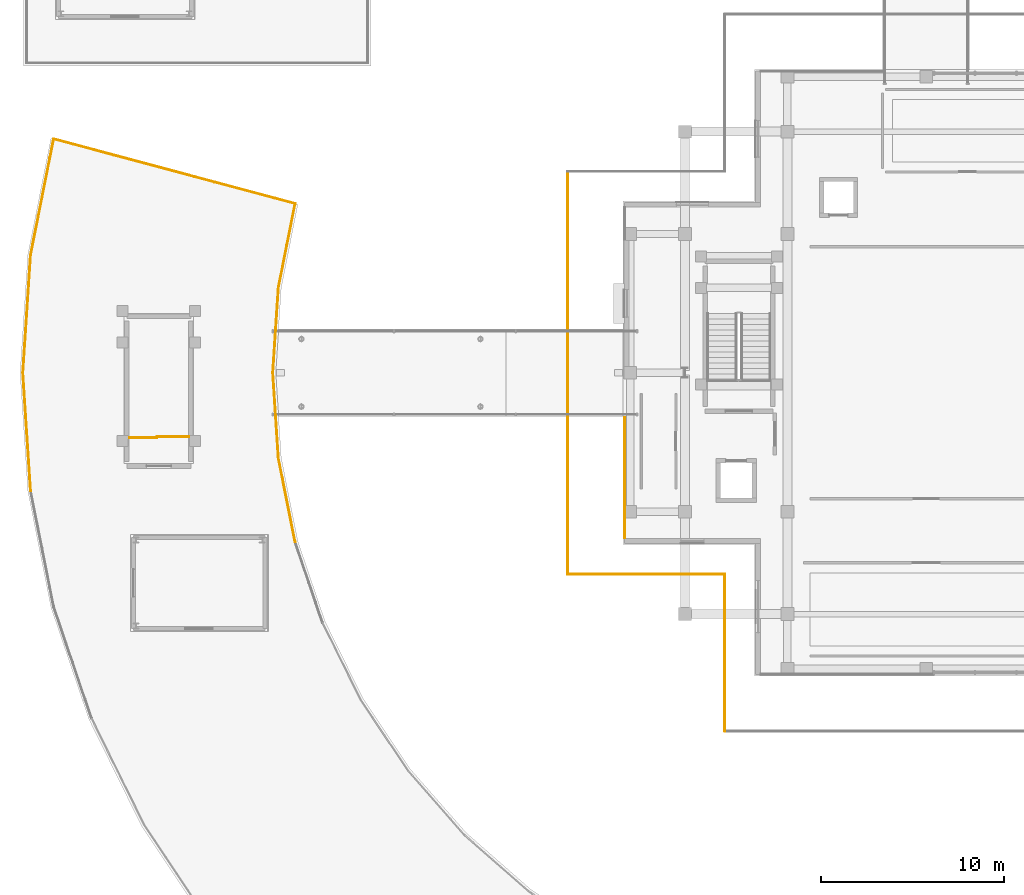
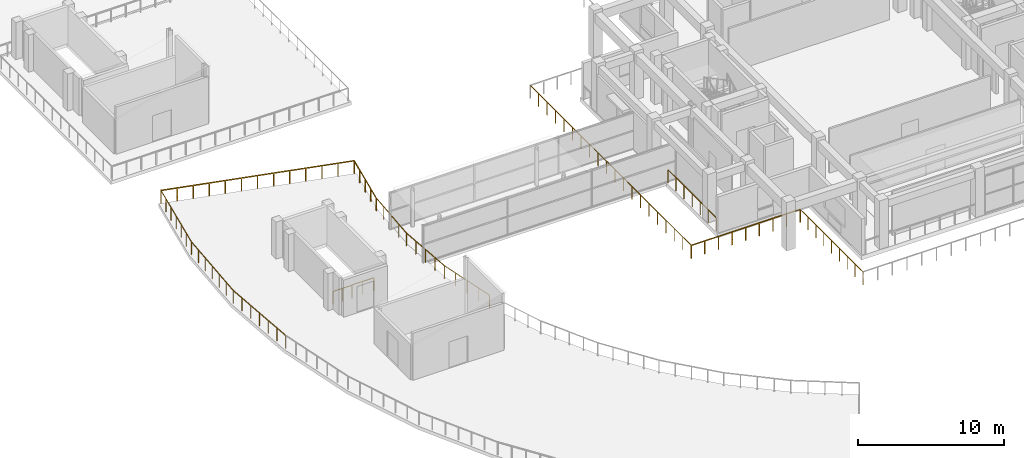
# One storey, part 43 of 53: 14 railings.
"""IFC4 building model written with IfcOpenShell, lengths in metres."""

from ifc_helpers import new_model, si_unit, direction, frame, origin, origin_2d, place, context, subcontext, project, spatial, rectangle, extrude, material, layer, layer_set, type_object, element, save


model = new_model("IFC4")

# Units and contexts
model_context = context("Model", 3, precision=1e-05, world=origin(), true_north=direction((0.0, 1.0)))
body_context = subcontext(model_context, "Body", "Model", "MODEL_VIEW")
ifc_project = project(units=[si_unit("LENGTHUNIT", "METRE"), si_unit("AREAUNIT", "SQUARE_METRE"), si_unit("VOLUMEUNIT", "CUBIC_METRE"), si_unit("PLANEANGLEUNIT", "RADIAN"), si_unit("MASSUNIT", "GRAM", prefix="KILO")], contexts=[model_context])

# Site, building, storey
site_placement = place(None, origin())
site = spatial("IfcSite", under=ifc_project, at=site_placement, CompositionType="ELEMENT")
building_placement = place(site_placement, origin())
building = spatial("IfcBuilding", under=site, at=building_placement, Name="Saryqyr Civic Hall", CompositionType="ELEMENT")
storey_placement = place(building_placement, frame((0.0, 0.0, 21.300048828125)))
storey = spatial("IfcBuildingStorey", under=building, at=storey_placement, Name="L05", CompositionType="ELEMENT", Elevation=21.300048828125)

# Railings
ifc_material_1 = material(Name="Stainless steel and laminated glass", Category="steel")
ifc_layer_1 = layer(ifc_material_1, 0.06005859375, Name="Stainless steel and laminated glass")
ifc_layer_set_1 = layer_set([ifc_layer_1], Name="Stainless steel and laminated glass")
railing_type_1 = type_object("IfcRailingType", Name="ENV-RLG-BAL-1100", PredefinedType="BALUSTRADE", material=ifc_layer_set_1)
railing_1_placement = place(storey_placement, frame((9.24462890625, 96.7958984375, 0.0)))
element("IfcRailing", 1, at=railing_1_placement, inside=storey, type_object=railing_type_1, Name="Perimeter safety balustrade V4-RG-L05-G01", PredefinedType="BALUSTRADE", context=body_context, shape_type="SweptSolid", body=[
    extrude(rectangle(XDim=0.048095703125, YDim=0.048095703125, at=origin_2d()), frame((0.0, 0.0, 1.076171875), z_axis=(-0.195099643813, -0.980783426136, 0.0), x_axis=(0.980783426136, -0.195099643813, 0.0)), (0.0, 0.0, 1.0), 6.467041015625),
    extrude(rectangle(XDim=0.0419921875, YDim=0.0419921875, at=origin_2d()), origin(), (0.0, 0.0, 1.0), 1.052001953125),
    extrude(rectangle(XDim=0.0419921875, YDim=0.0419921875, at=origin_2d()), frame((-0.210205078125, -1.05712890625, 0.0)), (0.0, 0.0, 1.0), 1.052001953125),
    extrude(rectangle(XDim=0.0419921875, YDim=0.0419921875, at=origin_2d()), frame((-0.420654296875, -2.1142578125, 0.0)), (0.0, 0.0, 1.0), 1.052001953125),
    extrude(rectangle(XDim=0.0419921875, YDim=0.0419921875, at=origin_2d()), frame((-0.630859375, -3.17138671875, 0.0)), (0.0, 0.0, 1.0), 1.052001953125),
    extrude(rectangle(XDim=0.0419921875, YDim=0.0419921875, at=origin_2d()), frame((-0.841064453125, -4.228515625, 0.0)), (0.0, 0.0, 1.0), 1.052001953125),
    extrude(rectangle(XDim=0.0419921875, YDim=0.0419921875, at=origin_2d()), frame((-1.051513671875, -5.28564453125, 0.0)), (0.0, 0.0, 1.0), 1.052001953125),
    extrude(rectangle(XDim=0.0419921875, YDim=0.0419921875, at=origin_2d()), frame((-1.26171875, -6.3427734375, 0.0)), (0.0, 0.0, 1.0), 1.052001953125),
])
railing_2_placement = place(storey_placement, frame((7.98291015625, 90.453125, 0.0)))
element("IfcRailing", 2, at=railing_2_placement, inside=storey, type_object=railing_type_1, Name="Perimeter safety balustrade V4-RG-L05-G02", PredefinedType="BALUSTRADE", context=body_context, shape_type="SweptSolid", body=[
    extrude(rectangle(XDim=0.048095703125, YDim=0.048095703125, at=origin_2d()), frame((0.0, 0.0, 1.076171875), z_axis=(-0.065386408632, -0.997860019024, 0.0), x_axis=(0.997860019024, -0.065386408632, 0.0)), (0.0, 0.0, 1.0), 6.467041015625),
    extrude(rectangle(XDim=0.0419921875, YDim=0.0419921875, at=origin_2d()), origin(), (0.0, 0.0, 1.0), 1.052001953125),
    extrude(rectangle(XDim=0.0419921875, YDim=0.0419921875, at=origin_2d()), frame((-0.070556640625, -1.075439453125, 0.0)), (0.0, 0.0, 1.0), 1.052001953125),
    extrude(rectangle(XDim=0.0419921875, YDim=0.0419921875, at=origin_2d()), frame((-0.140869140625, -2.151123046875, 0.0)), (0.0, 0.0, 1.0), 1.052001953125),
    extrude(rectangle(XDim=0.0419921875, YDim=0.0419921875, at=origin_2d()), frame((-0.21142578125, -3.2265625, 0.0)), (0.0, 0.0, 1.0), 1.052001953125),
    extrude(rectangle(XDim=0.0419921875, YDim=0.0419921875, at=origin_2d()), frame((-0.281982421875, -4.302001953125, 0.0)), (0.0, 0.0, 1.0), 1.052001953125),
    extrude(rectangle(XDim=0.0419921875, YDim=0.0419921875, at=origin_2d()), frame((-0.352294921875, -5.377685546875, 0.0)), (0.0, 0.0, 1.0), 1.052001953125),
    extrude(rectangle(XDim=0.0419921875, YDim=0.0419921875, at=origin_2d()), frame((-0.4228515625, -6.453125, 0.0)), (0.0, 0.0, 1.0), 1.052001953125),
])
railing_3_placement = place(storey_placement, frame((7.56005859375, 84.0, 0.0)))
element("IfcRailing", 3, at=railing_3_placement, inside=storey, type_object=railing_type_1, Name="Perimeter safety balustrade V4-RG-L05-G03", PredefinedType="BALUSTRADE", context=body_context, shape_type="SweptSolid", body=[
    extrude(rectangle(XDim=0.048095703125, YDim=0.048095703125, at=origin_2d()), frame((0.0, 0.0, 1.076171875), z_axis=(0.065386408632, -0.997860019024, 0.0), x_axis=(0.997860019024, 0.065386408632, 0.0)), (0.0, 0.0, 1.0), 6.467041015625),
    extrude(rectangle(XDim=0.0419921875, YDim=0.0419921875, at=origin_2d()), origin(), (0.0, 0.0, 1.0), 1.052001953125),
    extrude(rectangle(XDim=0.0419921875, YDim=0.0419921875, at=origin_2d()), frame((0.070556640625, -1.075439453125, 0.0)), (0.0, 0.0, 1.0), 1.052001953125),
    extrude(rectangle(XDim=0.0419921875, YDim=0.0419921875, at=origin_2d()), frame((0.140869140625, -2.151123046875, 0.0)), (0.0, 0.0, 1.0), 1.052001953125),
    extrude(rectangle(XDim=0.0419921875, YDim=0.0419921875, at=origin_2d()), frame((0.21142578125, -3.2265625, 0.0)), (0.0, 0.0, 1.0), 1.052001953125),
    extrude(rectangle(XDim=0.0419921875, YDim=0.0419921875, at=origin_2d()), frame((0.281982421875, -4.302001953125, 0.0)), (0.0, 0.0, 1.0), 1.052001953125),
    extrude(rectangle(XDim=0.0419921875, YDim=0.0419921875, at=origin_2d()), frame((0.352294921875, -5.377685546875, 0.0)), (0.0, 0.0, 1.0), 1.052001953125),
    extrude(rectangle(XDim=0.0419921875, YDim=0.0419921875, at=origin_2d()), frame((0.4228515625, -6.453125, 0.0)), (0.0, 0.0, 1.0), 1.052001953125),
])
railing_4_placement = place(storey_placement, frame((22.45849609375, 74.74462890625, 0.0)))
element("IfcRailing", 4, at=railing_4_placement, inside=storey, type_object=railing_type_1, Name="Perimeter safety balustrade V4-RG-L05-G18", PredefinedType="BALUSTRADE", context=body_context, shape_type="SweptSolid", body=[
    extrude(rectangle(XDim=0.048095703125, YDim=0.048095703125, at=origin_2d()), frame((0.0, 0.0, 1.076171875), z_axis=(-0.195092269586, 0.980784893006, 0.0), x_axis=(-0.980784893006, -0.195092269586, 0.0)), (0.0, 0.0, 1.0), 4.677734375),
    extrude(rectangle(XDim=0.0419921875, YDim=0.0419921875, at=origin_2d()), origin(), (0.0, 0.0, 1.0), 1.052001953125),
    extrude(rectangle(XDim=0.0419921875, YDim=0.0419921875, at=origin_2d()), frame((-0.22802734375, 1.14697265625, 0.0)), (0.0, 0.0, 1.0), 1.052001953125),
    extrude(rectangle(XDim=0.0419921875, YDim=0.0419921875, at=origin_2d()), frame((-0.456298828125, 2.2939453125, 0.0)), (0.0, 0.0, 1.0), 1.052001953125),
    extrude(rectangle(XDim=0.0419921875, YDim=0.0419921875, at=origin_2d()), frame((-0.6845703125, 3.44091796875, 0.0)), (0.0, 0.0, 1.0), 1.052001953125),
    extrude(rectangle(XDim=0.0419921875, YDim=0.0419921875, at=origin_2d()), frame((-0.91259765625, 4.587890625, 0.0)), (0.0, 0.0, 1.0), 1.052001953125),
])
railing_5_placement = place(storey_placement, frame((21.5458984375, 79.33251953125, 0.0)))
element("IfcRailing", 5, at=railing_5_placement, inside=storey, type_object=railing_type_1, Name="Perimeter safety balustrade V4-RG-L05-G19", PredefinedType="BALUSTRADE", context=body_context, shape_type="SweptSolid", body=[
    extrude(rectangle(XDim=0.048095703125, YDim=0.048095703125, at=origin_2d()), frame((0.0, 0.0, 1.076171875), z_axis=(-0.06540001499, 0.997859127352, 0.0), x_axis=(-0.997859127352, -0.06540001499, 0.0)), (0.0, 0.0, 1.0), 4.677490234375),
    extrude(rectangle(XDim=0.0419921875, YDim=0.0419921875, at=origin_2d()), origin(), (0.0, 0.0, 1.0), 1.052001953125),
    extrude(rectangle(XDim=0.0419921875, YDim=0.0419921875, at=origin_2d()), frame((-0.076416015625, 1.1669921875, 0.0)), (0.0, 0.0, 1.0), 1.052001953125),
    extrude(rectangle(XDim=0.0419921875, YDim=0.0419921875, at=origin_2d()), frame((-0.15283203125, 2.333740234375, 0.0)), (0.0, 0.0, 1.0), 1.052001953125),
    extrude(rectangle(XDim=0.0419921875, YDim=0.0419921875, at=origin_2d()), frame((-0.2294921875, 3.50048828125, 0.0)), (0.0, 0.0, 1.0), 1.052001953125),
    extrude(rectangle(XDim=0.0419921875, YDim=0.0419921875, at=origin_2d()), frame((-0.305908203125, 4.66748046875, 0.0)), (0.0, 0.0, 1.0), 1.052001953125),
])
railing_6_placement = place(storey_placement, frame((21.239990234375, 84.0, 0.0)))
element("IfcRailing", 6, at=railing_6_placement, inside=storey, type_object=railing_type_1, Name="Perimeter safety balustrade V4-RG-L05-G20", PredefinedType="BALUSTRADE", context=body_context, shape_type="SweptSolid", body=[
    extrude(rectangle(XDim=0.048095703125, YDim=0.048095703125, at=origin_2d()), frame((0.0, 0.0, 1.076171875), z_axis=(0.06540001499, 0.997859127352, 0.0), x_axis=(-0.997859127352, 0.06540001499, 0.0)), (0.0, 0.0, 1.0), 4.677490234375),
    extrude(rectangle(XDim=0.0419921875, YDim=0.0419921875, at=origin_2d()), origin(), (0.0, 0.0, 1.0), 1.052001953125),
    extrude(rectangle(XDim=0.0419921875, YDim=0.0419921875, at=origin_2d()), frame((0.076416015625, 1.1669921875, 0.0)), (0.0, 0.0, 1.0), 1.052001953125),
    extrude(rectangle(XDim=0.0419921875, YDim=0.0419921875, at=origin_2d()), frame((0.15283203125, 2.333740234375, 0.0)), (0.0, 0.0, 1.0), 1.052001953125),
    extrude(rectangle(XDim=0.0419921875, YDim=0.0419921875, at=origin_2d()), frame((0.2294921875, 3.50048828125, 0.0)), (0.0, 0.0, 1.0), 1.052001953125),
    extrude(rectangle(XDim=0.0419921875, YDim=0.0419921875, at=origin_2d()), frame((0.305908203125, 4.66748046875, 0.0)), (0.0, 0.0, 1.0), 1.052001953125),
])
railing_7_placement = place(storey_placement, frame((21.5458984375, 88.66748046875, 0.0)))
element("IfcRailing", 7, at=railing_7_placement, inside=storey, type_object=railing_type_1, Name="Perimeter safety balustrade V4-RG-L05-G21", PredefinedType="BALUSTRADE", context=body_context, shape_type="SweptSolid", body=[
    extrude(rectangle(XDim=0.048095703125, YDim=0.048095703125, at=origin_2d()), frame((0.0, 0.0, 1.076171875), z_axis=(0.195092269586, 0.980784893006, 0.0), x_axis=(-0.980784893006, 0.195092269586, 0.0)), (0.0, 0.0, 1.0), 4.677734375),
    extrude(rectangle(XDim=0.0419921875, YDim=0.0419921875, at=origin_2d()), origin(), (0.0, 0.0, 1.0), 1.052001953125),
    extrude(rectangle(XDim=0.0419921875, YDim=0.0419921875, at=origin_2d()), frame((0.22802734375, 1.14697265625, 0.0)), (0.0, 0.0, 1.0), 1.052001953125),
    extrude(rectangle(XDim=0.0419921875, YDim=0.0419921875, at=origin_2d()), frame((0.456298828125, 2.2939453125, 0.0)), (0.0, 0.0, 1.0), 1.052001953125),
    extrude(rectangle(XDim=0.0419921875, YDim=0.0419921875, at=origin_2d()), frame((0.6845703125, 3.44091796875, 0.0)), (0.0, 0.0, 1.0), 1.052001953125),
    extrude(rectangle(XDim=0.0419921875, YDim=0.0419921875, at=origin_2d()), frame((0.91259765625, 4.587890625, 0.0)), (0.0, 0.0, 1.0), 1.052001953125),
])
railing_8_placement = place(storey_placement, frame((22.45849609375, 93.25537109375, 0.0)))
element("IfcRailing", 8, at=railing_8_placement, inside=storey, type_object=railing_type_1, Name="Perimeter safety balustrade V4-RG-L05-G22", PredefinedType="BALUSTRADE", context=body_context, shape_type="SweptSolid", body=[
    extrude(rectangle(XDim=0.048095703125, YDim=0.048095703125, at=origin_2d()), frame((0.0, 0.0, 1.076171875), z_axis=(-0.965927977175, 0.258811017755, 0.0), x_axis=(-0.258811017755, -0.965927977175, 0.0)), (0.0, 0.0, 1.0), 13.679931640625),
    extrude(rectangle(XDim=0.0419921875, YDim=0.0419921875, at=origin_2d()), origin(), (0.0, 0.0, 1.0), 1.052001953125),
    extrude(rectangle(XDim=0.0419921875, YDim=0.0419921875, at=origin_2d()), frame((-1.10107421875, 0.294921875, 0.0)), (0.0, 0.0, 1.0), 1.052001953125),
    extrude(rectangle(XDim=0.0419921875, YDim=0.0419921875, at=origin_2d()), frame((-2.202392578125, 0.590087890625, 0.0)), (0.0, 0.0, 1.0), 1.052001953125),
    extrude(rectangle(XDim=0.0419921875, YDim=0.0419921875, at=origin_2d()), frame((-3.303466796875, 0.88525390625, 0.0)), (0.0, 0.0, 1.0), 1.052001953125),
    extrude(rectangle(XDim=0.0419921875, YDim=0.0419921875, at=origin_2d()), frame((-4.404541015625, 1.18017578125, 0.0)), (0.0, 0.0, 1.0), 1.052001953125),
    extrude(rectangle(XDim=0.0419921875, YDim=0.0419921875, at=origin_2d()), frame((-5.505859375, 1.47509765625, 0.0)), (0.0, 0.0, 1.0), 1.052001953125),
    extrude(rectangle(XDim=0.0419921875, YDim=0.0419921875, at=origin_2d()), frame((-6.60693359375, 1.770263671875, 0.0)), (0.0, 0.0, 1.0), 1.052001953125),
    extrude(rectangle(XDim=0.0419921875, YDim=0.0419921875, at=origin_2d()), frame((-7.7080078125, 2.0654296875, 0.0)), (0.0, 0.0, 1.0), 1.052001953125),
    extrude(rectangle(XDim=0.0419921875, YDim=0.0419921875, at=origin_2d()), frame((-8.809326171875, 2.3603515625, 0.0)), (0.0, 0.0, 1.0), 1.052001953125),
    extrude(rectangle(XDim=0.0419921875, YDim=0.0419921875, at=origin_2d()), frame((-9.910400390625, 2.6552734375, 0.0)), (0.0, 0.0, 1.0), 1.052001953125),
    extrude(rectangle(XDim=0.0419921875, YDim=0.0419921875, at=origin_2d()), frame((-11.011474609375, 2.950439453125, 0.0)), (0.0, 0.0, 1.0), 1.052001953125),
    extrude(rectangle(XDim=0.0419921875, YDim=0.0419921875, at=origin_2d()), frame((-12.11279296875, 3.24560546875, 0.0)), (0.0, 0.0, 1.0), 1.052001953125),
    extrude(rectangle(XDim=0.0419921875, YDim=0.0419921875, at=origin_2d()), frame((-13.2138671875, 3.54052734375, 0.0)), (0.0, 0.0, 1.0), 1.052001953125),
])
railing_9_placement = place(storey_placement, frame((37.3798828125, 95.02001953125, 0.0)))
element("IfcRailing", 9, at=railing_9_placement, inside=storey, type_object=railing_type_1, Name="Perimeter safety balustrade V1-STEPG-L05-G10", PredefinedType="BALUSTRADE", context=body_context, shape_type="SweptSolid", body=[
    extrude(rectangle(XDim=0.048095703125, YDim=0.048095703125, at=origin_2d()), frame((0.0, 0.0, 1.076171875), z_axis=(0.0, -1.0, 0.0), x_axis=(1.0, 0.0, 0.0)), (0.0, 0.0, 1.0), 22.0400390625),
    extrude(rectangle(XDim=0.0419921875, YDim=0.0419921875, at=origin_2d()), origin(), (0.0, 0.0, 1.0), 1.052001953125),
    extrude(rectangle(XDim=0.0419921875, YDim=0.0419921875, at=origin_2d()), frame((0.0, -1.159912109375, 0.0)), (0.0, 0.0, 1.0), 1.052001953125),
    extrude(rectangle(XDim=0.0419921875, YDim=0.0419921875, at=origin_2d()), frame((0.0, -2.320068359375, 0.0)), (0.0, 0.0, 1.0), 1.052001953125),
    extrude(rectangle(XDim=0.0419921875, YDim=0.0419921875, at=origin_2d()), frame((0.0, -3.47998046875, 0.0)), (0.0, 0.0, 1.0), 1.052001953125),
    extrude(rectangle(XDim=0.0419921875, YDim=0.0419921875, at=origin_2d()), frame((0.0, -4.639892578125, 0.0)), (0.0, 0.0, 1.0), 1.052001953125),
    extrude(rectangle(XDim=0.0419921875, YDim=0.0419921875, at=origin_2d()), frame((0.0, -5.800048828125, 0.0)), (0.0, 0.0, 1.0), 1.052001953125),
    extrude(rectangle(XDim=0.0419921875, YDim=0.0419921875, at=origin_2d()), frame((0.0, -6.9599609375, 0.0)), (0.0, 0.0, 1.0), 1.052001953125),
    extrude(rectangle(XDim=0.0419921875, YDim=0.0419921875, at=origin_2d()), frame((0.0, -8.1201171875, 0.0)), (0.0, 0.0, 1.0), 1.052001953125),
    extrude(rectangle(XDim=0.0419921875, YDim=0.0419921875, at=origin_2d()), frame((0.0, -9.280029296875, 0.0)), (0.0, 0.0, 1.0), 1.052001953125),
    extrude(rectangle(XDim=0.0419921875, YDim=0.0419921875, at=origin_2d()), frame((0.0, -10.43994140625, 0.0)), (0.0, 0.0, 1.0), 1.052001953125),
    extrude(rectangle(XDim=0.0419921875, YDim=0.0419921875, at=origin_2d()), frame((0.0, -11.60009765625, 0.0)), (0.0, 0.0, 1.0), 1.052001953125),
    extrude(rectangle(XDim=0.0419921875, YDim=0.0419921875, at=origin_2d()), frame((0.0, -12.760009765625, 0.0)), (0.0, 0.0, 1.0), 1.052001953125),
    extrude(rectangle(XDim=0.0419921875, YDim=0.0419921875, at=origin_2d()), frame((0.0, -13.919921875, 0.0)), (0.0, 0.0, 1.0), 1.052001953125),
    extrude(rectangle(XDim=0.0419921875, YDim=0.0419921875, at=origin_2d()), frame((0.0, -15.080078125, 0.0)), (0.0, 0.0, 1.0), 1.052001953125),
    extrude(rectangle(XDim=0.0419921875, YDim=0.0419921875, at=origin_2d()), frame((0.0, -16.239990234375, 0.0)), (0.0, 0.0, 1.0), 1.052001953125),
    extrude(rectangle(XDim=0.0419921875, YDim=0.0419921875, at=origin_2d()), frame((0.0, -17.400146484375, 0.0)), (0.0, 0.0, 1.0), 1.052001953125),
    extrude(rectangle(XDim=0.0419921875, YDim=0.0419921875, at=origin_2d()), frame((0.0, -18.56005859375, 0.0)), (0.0, 0.0, 1.0), 1.052001953125),
    extrude(rectangle(XDim=0.0419921875, YDim=0.0419921875, at=origin_2d()), frame((0.0, -19.719970703125, 0.0)), (0.0, 0.0, 1.0), 1.052001953125),
    extrude(rectangle(XDim=0.0419921875, YDim=0.0419921875, at=origin_2d()), frame((0.0, -20.880126953125, 0.0)), (0.0, 0.0, 1.0), 1.052001953125),
    extrude(rectangle(XDim=0.0419921875, YDim=0.0419921875, at=origin_2d()), frame((0.0, -22.0400390625, 0.0)), (0.0, 0.0, 1.0), 1.052001953125),
])
railing_10_placement = place(storey_placement, frame((37.3798828125, 72.97998046875, 0.0)))
element("IfcRailing", 10, at=railing_10_placement, inside=storey, type_object=railing_type_1, Name="Perimeter safety balustrade V1-STEPG-L05-G11", PredefinedType="BALUSTRADE", context=body_context, shape_type="SweptSolid", body=[
    extrude(rectangle(XDim=0.048095703125, YDim=0.048095703125, at=origin_2d()), frame((0.0, 0.0, 1.076171875), z_axis=(1.0, 0.0, 0.0), x_axis=(0.0, 1.0, 0.0)), (0.0, 0.0, 1.0), 8.60009765625),
    extrude(rectangle(XDim=0.0419921875, YDim=0.0419921875, at=origin_2d()), origin(), (0.0, 0.0, 1.0), 1.052001953125),
    extrude(rectangle(XDim=0.0419921875, YDim=0.0419921875, at=origin_2d()), frame((1.074951171875, 0.0, 0.0)), (0.0, 0.0, 1.0), 1.052001953125),
    extrude(rectangle(XDim=0.0419921875, YDim=0.0419921875, at=origin_2d()), frame((2.14990234375, 0.0, 0.0)), (0.0, 0.0, 1.0), 1.052001953125),
    extrude(rectangle(XDim=0.0419921875, YDim=0.0419921875, at=origin_2d()), frame((3.22509765625, 0.0, 0.0)), (0.0, 0.0, 1.0), 1.052001953125),
    extrude(rectangle(XDim=0.0419921875, YDim=0.0419921875, at=origin_2d()), frame((4.300048828125, 0.0, 0.0)), (0.0, 0.0, 1.0), 1.052001953125),
    extrude(rectangle(XDim=0.0419921875, YDim=0.0419921875, at=origin_2d()), frame((5.375, 0.0, 0.0)), (0.0, 0.0, 1.0), 1.052001953125),
    extrude(rectangle(XDim=0.0419921875, YDim=0.0419921875, at=origin_2d()), frame((6.4501953125, 0.0, 0.0)), (0.0, 0.0, 1.0), 1.052001953125),
    extrude(rectangle(XDim=0.0419921875, YDim=0.0419921875, at=origin_2d()), frame((7.525146484375, 0.0, 0.0)), (0.0, 0.0, 1.0), 1.052001953125),
    extrude(rectangle(XDim=0.0419921875, YDim=0.0419921875, at=origin_2d()), frame((8.60009765625, 0.0, 0.0)), (0.0, 0.0, 1.0), 1.052001953125),
])
railing_11_placement = place(storey_placement, frame((45.97998046875, 72.97998046875, 0.0)))
element("IfcRailing", 11, at=railing_11_placement, inside=storey, type_object=railing_type_1, Name="Perimeter safety balustrade V1-STEPG-L05-G12", PredefinedType="BALUSTRADE", context=body_context, shape_type="SweptSolid", body=[
    extrude(rectangle(XDim=0.048095703125, YDim=0.048095703125, at=origin_2d()), frame((0.0, 0.0, 1.076171875), z_axis=(0.0, -1.0, 0.0), x_axis=(1.0, 0.0, 0.0)), (0.0, 0.0, 1.0), 8.60009765625),
    extrude(rectangle(XDim=0.0419921875, YDim=0.0419921875, at=origin_2d()), origin(), (0.0, 0.0, 1.0), 1.052001953125),
    extrude(rectangle(XDim=0.0419921875, YDim=0.0419921875, at=origin_2d()), frame((0.0, -1.074951171875, 0.0)), (0.0, 0.0, 1.0), 1.052001953125),
    extrude(rectangle(XDim=0.0419921875, YDim=0.0419921875, at=origin_2d()), frame((0.0, -2.14990234375, 0.0)), (0.0, 0.0, 1.0), 1.052001953125),
    extrude(rectangle(XDim=0.0419921875, YDim=0.0419921875, at=origin_2d()), frame((0.0, -3.22509765625, 0.0)), (0.0, 0.0, 1.0), 1.052001953125),
    extrude(rectangle(XDim=0.0419921875, YDim=0.0419921875, at=origin_2d()), frame((0.0, -4.300048828125, 0.0)), (0.0, 0.0, 1.0), 1.052001953125),
    extrude(rectangle(XDim=0.0419921875, YDim=0.0419921875, at=origin_2d()), frame((0.0, -5.375, 0.0)), (0.0, 0.0, 1.0), 1.052001953125),
    extrude(rectangle(XDim=0.0419921875, YDim=0.0419921875, at=origin_2d()), frame((0.0, -6.4501953125, 0.0)), (0.0, 0.0, 1.0), 1.052001953125),
    extrude(rectangle(XDim=0.0419921875, YDim=0.0419921875, at=origin_2d()), frame((0.0, -7.525146484375, 0.0)), (0.0, 0.0, 1.0), 1.052001953125),
    extrude(rectangle(XDim=0.0419921875, YDim=0.0419921875, at=origin_2d()), frame((0.0, -8.60009765625, 0.0)), (0.0, 0.0, 1.0), 1.052001953125),
])
ifc_material_2 = material(Name="Warm brushed brass and laminated glass", Category="glass")
ifc_layer_2 = layer(ifc_material_2, 0.06005859375, Name="Warm brushed brass and laminated glass")
ifc_layer_set_2 = layer_set([ifc_layer_2], Name="Warm brushed brass and laminated glass")
railing_type_2 = type_object("IfcRailingType", Name="INT-RLG-BAL-1100", PredefinedType="BALUSTRADE", material=ifc_layer_set_2)
railing_12_placement = place(storey_placement, frame((16.64990234375, 80.5, 0.0)))
element("IfcRailing", 12, at=railing_12_placement, inside=storey, type_object=railing_type_2, Name="L05 ST-4 top well guard 1", PredefinedType="BALUSTRADE", context=body_context, shape_type="SweptSolid", body=[
    extrude(rectangle(XDim=0.048095703125, YDim=0.048095703125, at=origin_2d()), frame((0.0, 0.0, 1.076171875), z_axis=(-1.0, 0.0, 0.0), x_axis=(0.0, -1.0, 0.0)), (0.0, 0.0, 1.0), 1.75),
    extrude(rectangle(XDim=0.0419921875, YDim=0.0419921875, at=origin_2d()), origin(), (0.0, 0.0, 1.0), 1.052001953125),
    extrude(rectangle(XDim=0.0419921875, YDim=0.0419921875, at=origin_2d()), frame((-0.875, 0.0, 0.0)), (0.0, 0.0, 1.0), 1.052001953125),
    extrude(rectangle(XDim=0.0419921875, YDim=0.0419921875, at=origin_2d()), frame((-1.75, 0.0, 0.0)), (0.0, 0.0, 1.0), 1.052001953125),
])
railing_13_placement = place(storey_placement, frame((40.5, 74.955078125, 0.0)))
element("IfcRailing", 13, at=railing_13_placement, inside=storey, type_object=railing_type_2, Name="Interior deck safety balustrade L05-060", PredefinedType="BALUSTRADE", context=body_context, shape_type="SweptSolid", body=[
    extrude(rectangle(XDim=0.048095703125, YDim=0.048095703125, at=origin_2d()), frame((0.0, 0.0, 1.09619140625), z_axis=(0.0, 1.0, 0.0), x_axis=(-1.0, 0.0, 0.0)), (0.0, 0.0, 1.0), 6.60498046875),
    extrude(rectangle(XDim=0.0419921875, YDim=0.0419921875, at=origin_2d()), origin(), (0.0, 0.0, 1.0), 1.072021484375),
    extrude(rectangle(XDim=0.0419921875, YDim=0.0419921875, at=origin_2d()), frame((0.0, 1.100830078125, 0.0)), (0.0, 0.0, 1.0), 1.072021484375),
    extrude(rectangle(XDim=0.0419921875, YDim=0.0419921875, at=origin_2d()), frame((0.0, 2.20166015625, 0.0)), (0.0, 0.0, 1.0), 1.072021484375),
    extrude(rectangle(XDim=0.0419921875, YDim=0.0419921875, at=origin_2d()), frame((0.0, 3.302490234375, 0.0)), (0.0, 0.0, 1.0), 1.072021484375),
    extrude(rectangle(XDim=0.0419921875, YDim=0.0419921875, at=origin_2d()), frame((0.0, 4.4033203125, 0.0)), (0.0, 0.0, 1.0), 1.072021484375),
    extrude(rectangle(XDim=0.0419921875, YDim=0.0419921875, at=origin_2d()), frame((0.0, 5.504150390625, 0.0)), (0.0, 0.0, 1.0), 1.072021484375),
    extrude(rectangle(XDim=0.0419921875, YDim=0.0419921875, at=origin_2d()), frame((0.0, 6.60498046875, 0.0)), (0.0, 0.0, 1.0), 1.072021484375),
])
railing_14_placement = place(storey_placement, frame((13.39501953125, 80.449951171875, 0.0)))
element("IfcRailing", 14, at=railing_14_placement, inside=storey, type_object=railing_type_2, Name="Interior deck safety balustrade L05-069", PredefinedType="BALUSTRADE", context=body_context, shape_type="SweptSolid", body=[
    extrude(rectangle(XDim=0.048095703125, YDim=0.048095703125, at=origin_2d()), frame((0.0, 0.0, 1.09619140625), z_axis=(1.0, 0.0, 0.0), x_axis=(0.0, 1.0, 0.0)), (0.0, 0.0, 1.0), 1.5048828125),
    extrude(rectangle(XDim=0.0419921875, YDim=0.0419921875, at=origin_2d()), origin(), (0.0, 0.0, 1.0), 1.072021484375),
    extrude(rectangle(XDim=0.0419921875, YDim=0.0419921875, at=origin_2d()), frame((0.75244140625, 0.0, 0.0)), (0.0, 0.0, 1.0), 1.072021484375),
    extrude(rectangle(XDim=0.0419921875, YDim=0.0419921875, at=origin_2d()), frame((1.5048828125, 0.0, 0.0)), (0.0, 0.0, 1.0), 1.072021484375),
])

save(model, "model.ifc")
